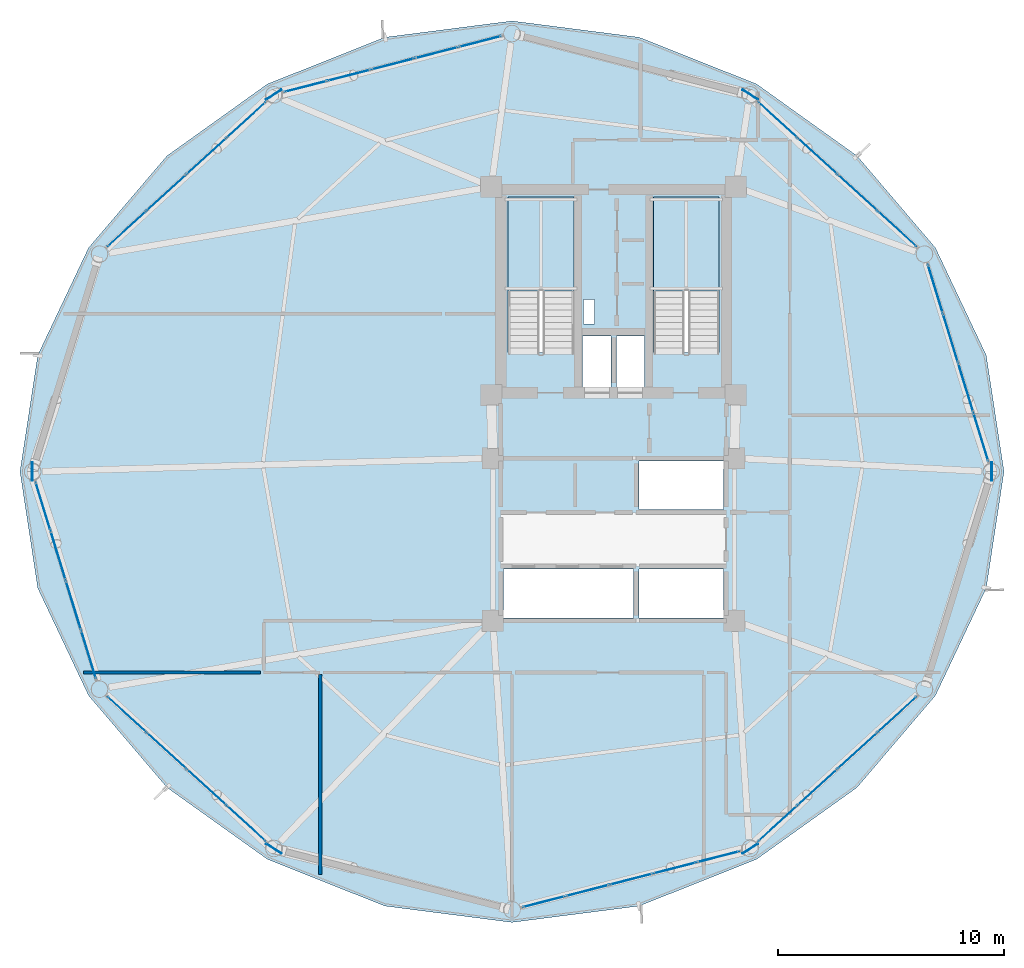
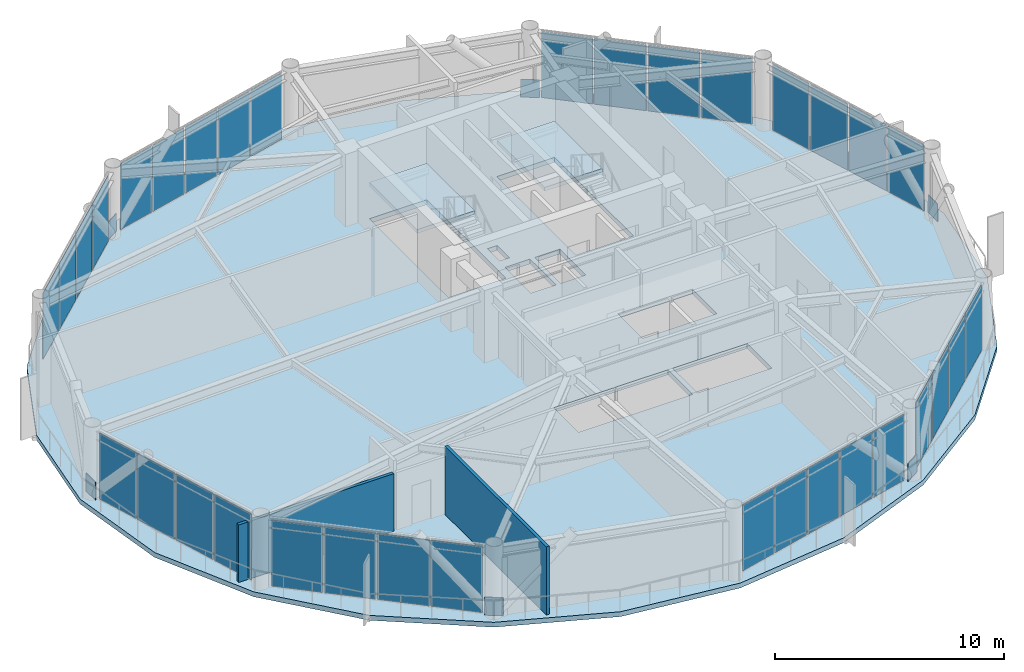
# One storey, part 19 of 25: 40 plates, 3 slabs, 2 walls, 10 elements without a shape of their own.
"""IFC4 building model written with IfcOpenShell, lengths in metres."""

from ifc_helpers import new_model, si_unit, direction, frame, frame_2d, origin, origin_2d, place, context, subcontext, project, spatial, polyline, rectangle, outline, extrude, source, transform, mapped, material, layer, layer_set, type_object, type_shapes, element, aggregate, save


model = new_model("IFC4")

# Units and contexts
model_context = context("Model", 3, precision=1e-05, world=origin(), true_north=direction((0.0, 1.0)))
body_context = subcontext(model_context, "Body", "Model", "MODEL_VIEW")
ifc_project = project(units=[si_unit("LENGTHUNIT", "METRE"), si_unit("AREAUNIT", "SQUARE_METRE"), si_unit("VOLUMEUNIT", "CUBIC_METRE"), si_unit("PLANEANGLEUNIT", "RADIAN"), si_unit("MASSUNIT", "GRAM", prefix="KILO")], contexts=[model_context])

# Site, building, storey
site_placement = place(None, origin())
site = spatial("IfcSite", under=ifc_project, at=site_placement, CompositionType="ELEMENT")
building_placement = place(site_placement, origin())
building = spatial("IfcBuilding", under=site, at=building_placement, Name="Varnakorn Sky Granary", CompositionType="ELEMENT")
storey_placement = place(building_placement, frame((0.0, 0.0, 122.699951171875)))
storey = spatial("IfcBuildingStorey", under=building, at=storey_placement, Name="L30", CompositionType="ELEMENT", Elevation=122.699951171875)

# Plates
ifc_material_1 = material(Name="Steel S460M", Category="steel")
ifc_layer_1 = layer(ifc_material_1, 0.0380859375, Name="Steel S460M")
ifc_layer_set_1 = layer_set([ifc_layer_1], Name="Steel S460M")
plate_type_1 = type_object("IfcPlateType", Name="PL-NODE-KN3", PredefinedType="SHEET", material=ifc_layer_set_1)
for number, where, z_axis, x_axis, name in (
    (1, (19.75, 0.0, 0.0), (0.0, 0.0, 1.0), (0.0, 1.0, 0.0), "Diagrid Node Gusset Assembly KN3 L30-1"),
    (2, (9.0576171875, 16.7021484375, 0.0), (0.0, 0.0, 1.0), (-0.8452890919, 0.534309227989, 0.0), "Diagrid Node Gusset Assembly KN3 L30-3"),
    (3, (-12.0576171875, 16.7021484375, 0.0), (0.0, 0.0, 1.0), (-0.8452890919, -0.534309227989, 0.0), "Diagrid Node Gusset Assembly KN3 L30-5"),
    (4, (-22.75, 0.0, 0.0), (0.0, 0.0, 1.0), (0.0, -1.0, 0.0), "Diagrid Node Gusset Assembly KN3 L30-7"),
    (5, (-12.0576171875, -16.7021484375, 0.0), (0.0, 0.0, 1.0), (0.8452890919, -0.534309227989, 0.0), "Diagrid Node Gusset Assembly KN3 L30-9"),
    (6, (9.0576171875, -16.7021484375, 0.0), (0.0, 0.0, 1.0), (0.8452890919, 0.534309227989, 0.0), "Diagrid Node Gusset Assembly KN3 L30-11"),
):
    element("IfcPlate", number, at=place(storey_placement, frame(where, z_axis=z_axis, x_axis=x_axis)), inside=storey, type_object=plate_type_1, Name=name, PredefinedType="SHEET", context=body_context, shape_type="SweptSolid", body=[
        extrude(rectangle(XDim=0.820068359375, YDim=0.0380859375, at=origin_2d()), origin(), (0.0, 0.0, 1.0), 0.93994140625),
    ])

# Stair, slab
ifc_material_2 = material(Name="Concrete C40/50", Category="concrete")
stair_type = type_object("IfcStairType", Name="ST-MAIN-ASSEMBLY", PredefinedType="HALF_TURN_STAIR", material=ifc_material_2)
stair_1_placement = place(storey_placement, origin())
stair_1 = element("IfcStair", 7, at=stair_1_placement, inside=storey, type_object=stair_type, Name="L30 Protected Exit Stair ST-1", PredefinedType="HALF_TURN_STAIR")
ifc_layer_2 = layer(ifc_material_2, 0.199951171875, Name="Concrete C40/50")
ifc_layer_set_2 = layer_set([ifc_layer_2], Name="Concrete C40/50")
slab_type_1 = type_object("IfcSlabType", Name="ST-MAIN-LAND", PredefinedType="LANDING", material=ifc_layer_set_2)
slab_1_placement = place(storey_placement, frame((0.0, 0.0, 1.75)))
slab_1 = element("IfcSlab", 8, at=slab_1_placement, type_object=slab_type_1, Name="ST-1 landing 1", PredefinedType="LANDING", context=body_context, shape_type="SweptSolid", body=[
    extrude(outline(polyline([(1.239990234375, 8.0), (1.239990234375, 12.179931640625), (-1.669921875, 12.179931640625), (-1.669921875, 8.0), (1.239990234375, 8.0)])), origin(), (0.0, 0.0, 1.0), 0.199951171875),
])
aggregate(stair_1, [slab_1])

stair_2_placement = place(storey_placement, origin())
stair_2 = element("IfcStair", 9, at=stair_2_placement, inside=storey, type_object=stair_type, Name="L30 Protected Exit Stair ST-2", PredefinedType="HALF_TURN_STAIR")
slab_2_placement = place(storey_placement, frame((0.0, 0.0, 1.75)))
slab_2 = element("IfcSlab", 10, at=slab_2_placement, type_object=slab_type_1, Name="ST-2 landing 1", PredefinedType="LANDING", context=body_context, shape_type="SweptSolid", body=[
    extrude(outline(polyline([(7.679931640625, 8.0), (7.679931640625, 12.179931640625), (4.77001953125, 12.179931640625), (4.77001953125, 8.0), (7.679931640625, 8.0)])), origin(), (0.0, 0.0, 1.0), 0.199951171875),
])
aggregate(stair_2, [slab_2])

# Slab
ifc_material_3 = material(Name="Concrete C50/60", Category="concrete")
ifc_layer_3 = layer(ifc_material_3, 0.260009765625, Name="Concrete C50/60")
ifc_layer_set_3 = layer_set([ifc_layer_3], Name="Concrete C50/60")
slab_type_2 = type_object("IfcSlabType", Name="ST-SL-TWR-260", PredefinedType="FLOOR", material=ifc_layer_set_3)
slab_3_placement = place(storey_placement, frame((0.0, 0.0, -0.260009765625)))
element("IfcSlab", 11, at=slab_3_placement, inside=storey, type_object=slab_type_2, Name="Level L30 Structural Floor Slab", PredefinedType="FLOOR", context=body_context, shape_type="SweptSolid", body=[
    extrude(outline(polyline([(20.300048828125, 0.0), (19.513671875, 5.1572265625), (17.262451171875, 9.91796875), (13.78759765625, 13.994384765625), (9.33251953125, 17.178466796875), (4.130615234375, 19.2470703125), (-1.5, 19.970947265625), (-7.130615234375, 19.2470703125), (-12.33251953125, 17.178466796875), (-16.78759765625, 13.994384765625), (-20.262451171875, 9.91796875), (-22.513671875, 5.1572265625), (-23.300048828125, 0.0), (-22.513671875, -5.1572265625), (-20.262451171875, -9.91796875), (-16.78759765625, -13.994384765625), (-12.33251953125, -17.178466796875), (-7.130615234375, -19.2470703125), (-1.5, -19.970947265625), (4.130615234375, -19.2470703125), (9.33251953125, -17.178466796875), (13.78759765625, -13.994384765625), (17.262451171875, -9.91796875), (19.513671875, -5.1572265625), (20.300048828125, 0.0)]), holes=[polyline([(1.239990234375, 5.27490234375), (1.239990234375, 12.179931640625), (-1.669921875, 12.179931640625), (-1.669921875, 5.27490234375), (1.239990234375, 5.27490234375)]), polyline([(7.679931640625, 5.27490234375), (7.679931640625, 12.179931640625), (4.77001953125, 12.179931640625), (4.77001953125, 5.27490234375), (7.679931640625, 5.27490234375)]), polyline([(1.659912109375, 6.550048828125), (2.14990234375, 6.550048828125), (2.14990234375, 7.6201171875), (1.659912109375, 7.6201171875), (1.659912109375, 6.550048828125)]), polyline([(1.6201171875, 3.739990234375), (2.8798828125, 3.739990234375), (2.8798828125, 6.010009765625), (1.6201171875, 6.010009765625), (1.6201171875, 3.739990234375)]), polyline([(3.1201171875, 3.739990234375), (4.3798828125, 3.739990234375), (4.3798828125, 6.010009765625), (3.1201171875, 6.010009765625), (3.1201171875, 3.739990234375)]), polyline([(4.1201171875, -1.679931640625), (7.8798828125, -1.679931640625), (7.8798828125, 0.47998046875), (4.1201171875, 0.47998046875), (4.1201171875, -1.679931640625)]), polyline([(-1.8798828125, -6.47998046875), (3.8798828125, -6.47998046875), (3.8798828125, -4.320068359375), (-1.8798828125, -4.320068359375), (-1.8798828125, -6.47998046875)]), polyline([(4.1201171875, -6.47998046875), (7.8798828125, -6.47998046875), (7.8798828125, -4.320068359375), (4.1201171875, -4.320068359375), (4.1201171875, -6.47998046875)])]), origin(), (0.0, 0.0, 1.0), 0.260009765625),
])

# Curtain wall, plates
ifc_material_4 = material(Name="Anodised Bronze Aluminium Alloy 6063-T6", Category="aluminium")
ifc_layer_4 = layer(ifc_material_4, 0.179931640625, Name="Anodised Bronze Aluminium Alloy 6063-T6")
ifc_layer_set_4 = layer_set([ifc_layer_4], Name="Anodised Bronze Aluminium Alloy 6063-T6")
curtain_wall_type = type_object("IfcCurtainWallType", Name="CW-FRM-2", PredefinedType="USERDEFINED", material=ifc_layer_set_4)
curtain_wall_1_placement = place(storey_placement, origin())
curtain_wall_1 = element("IfcCurtainWall", 12, at=curtain_wall_1_placement, inside=storey, type_object=curtain_wall_type, Name="Unitised Curtain Wall CW4 CW-L30-B01", ObjectType="CURTAIN WALL", PredefinedType="USERDEFINED")
ifc_material_5 = material(Name="Low-E Tinted Laminated Glass", Category="glass")
ifc_layer_5 = layer(ifc_material_5, 0.02587890625, Name="Low-E Tinted Laminated Glass")
ifc_layer_set_5 = layer_set([ifc_layer_5], Name="Low-E Tinted Laminated Glass")
plate_type_2 = type_object("IfcPlateType", Name="CW-FRM-2-PNL", PredefinedType="CURTAIN_PANEL")
shared_shape_1 = source(origin(), body_context, "Body", "SweptSolid", [
    extrude(rectangle(XDim=2.196533203125, YDim=0.02587890625, at=origin_2d()), origin(), (0.0, 0.0, 1.0), 3.510009765625),
])
plate_1_placement = place(storey_placement, frame((17.259033203125, 8.104736328125, 0.06494140625), z_axis=(0.0, 0.0, 1.0), x_axis=(0.293788915961, -0.955870322198, 0.0)))
plate_1 = element("IfcPlate", 13, at=plate_1_placement, type_object=plate_type_2, material=ifc_layer_set_5, Name="CW4 vision glazing unit 1.1", PredefinedType="CURTAIN_PANEL", context=body_context, shape_type="MappedRepresentation", body=[
    mapped(shared_shape_1, transform((0.0, 0.0, 0.0), x_axis=(1.0, 0.0, 0.0), y_axis=(0.0, 1.0, 0.0), z_axis=(0.0, 0.0, 1.0), scale=1.0)),
])
ifc_material_6 = material(Name="Opaque Insulated Aluminium Shadow-Box Unit", Category="aluminium")
ifc_layer_6 = layer(ifc_material_6, 0.02587890625, Name="Opaque Insulated Aluminium Shadow-Box Unit")
ifc_layer_set_6 = layer_set([ifc_layer_6], Name="Opaque Insulated Aluminium Shadow-Box Unit")
plate_2_placement = place(storey_placement, frame((19.277099609375, 1.538330078125, 0.06494140625), z_axis=(0.0, 0.0, 1.0), x_axis=(0.293788915961, -0.955870322198, 0.0)))
plate_2 = element("IfcPlate", 14, at=plate_2_placement, type_object=plate_type_2, material=ifc_layer_set_6, Name="CW4 opaque insulated shadow-box unit 4.1", PredefinedType="CURTAIN_PANEL", context=body_context, shape_type="MappedRepresentation", body=[
    mapped(shared_shape_1, transform((0.0, 0.0, 0.0), x_axis=(1.0, 0.0, 0.0), y_axis=(0.0, 1.0, 0.0), z_axis=(0.0, 0.0, 1.0), scale=1.0)),
])

curtain_wall_2_placement = place(storey_placement, origin())
curtain_wall_2 = element("IfcCurtainWall", 15, at=curtain_wall_2_placement, inside=storey, type_object=curtain_wall_type, Name="Unitised Curtain Wall CW4 CW-L30-B07", ObjectType="CURTAIN WALL", PredefinedType="USERDEFINED")
plate_3_placement = place(storey_placement, frame((-20.259033203125, -8.104736328125, 0.06494140625), z_axis=(0.0, 0.0, 1.0), x_axis=(-0.293788915961, 0.955870322198, 0.0)))
plate_3 = element("IfcPlate", 16, at=plate_3_placement, type_object=plate_type_2, material=ifc_layer_set_5, Name="CW4 vision glazing unit 1.1", PredefinedType="CURTAIN_PANEL", context=body_context, shape_type="MappedRepresentation", body=[
    mapped(shared_shape_1, transform((0.0, 0.0, 0.0), x_axis=(1.0, 0.0, 0.0), y_axis=(0.0, 1.0, 0.0), z_axis=(0.0, 0.0, 1.0), scale=1.0)),
])
plate_4_placement = place(storey_placement, frame((-22.277099609375, -1.538330078125, 0.06494140625), z_axis=(0.0, 0.0, 1.0), x_axis=(-0.293788915961, 0.955870322198, 0.0)))
plate_4 = element("IfcPlate", 17, at=plate_4_placement, type_object=plate_type_2, material=ifc_layer_set_6, Name="CW4 opaque insulated shadow-box unit 4.1", PredefinedType="CURTAIN_PANEL", context=body_context, shape_type="MappedRepresentation", body=[
    mapped(shared_shape_1, transform((0.0, 0.0, 0.0), x_axis=(1.0, 0.0, 0.0), y_axis=(0.0, 1.0, 0.0), z_axis=(0.0, 0.0, 1.0), scale=1.0)),
])

# Plate
shared_shape_2 = source(origin(), body_context, "Body", "SweptSolid", [
    extrude(rectangle(XDim=2.231689453125, YDim=0.02587890625, at=origin_2d()), origin(), (0.0, 0.0, 1.0), 3.510009765625),
])
plate_5_placement = place(storey_placement, frame((17.929931640625, 5.92138671875, 0.06494140625), z_axis=(0.0, 0.0, 1.0), x_axis=(0.293788915961, -0.955870322198, 0.0)))
plate_5 = element("IfcPlate", 18, at=plate_5_placement, type_object=plate_type_2, material=ifc_layer_set_5, Name="CW4 vision glazing unit 2.1", PredefinedType="CURTAIN_PANEL", context=body_context, shape_type="MappedRepresentation", body=[
    mapped(shared_shape_2, transform((0.0, 0.0, 0.0), x_axis=(1.0, 0.0, 0.0), y_axis=(0.0, 1.0, 0.0), z_axis=(0.0, 0.0, 1.0), scale=1.0)),
])

plate_6_placement = place(storey_placement, frame((18.606201171875, 3.721435546875, 0.06494140625), z_axis=(0.0, 0.0, 1.0), x_axis=(0.293788915961, -0.955870322198, 0.0)))
plate_6 = element("IfcPlate", 19, at=plate_6_placement, type_object=plate_type_2, material=ifc_layer_set_6, Name="CW4 opaque insulated shadow-box unit 3.1", PredefinedType="CURTAIN_PANEL", context=body_context, shape_type="MappedRepresentation", body=[
    mapped(shared_shape_2, transform((0.0, 0.0, 0.0), x_axis=(1.0, 0.0, 0.0), y_axis=(0.0, 1.0, 0.0), z_axis=(0.0, 0.0, 1.0), scale=1.0)),
])

aggregate(curtain_wall_1, [plate_1, plate_5, plate_6, plate_2])

plate_7_placement = place(storey_placement, frame((-20.929931640625, -5.92138671875, 0.06494140625), z_axis=(0.0, 0.0, 1.0), x_axis=(-0.293788915961, 0.955870322198, 0.0)))
plate_7 = element("IfcPlate", 20, at=plate_7_placement, type_object=plate_type_2, material=ifc_layer_set_5, Name="CW4 vision glazing unit 2.1", PredefinedType="CURTAIN_PANEL", context=body_context, shape_type="MappedRepresentation", body=[
    mapped(shared_shape_2, transform((0.0, 0.0, 0.0), x_axis=(1.0, 0.0, 0.0), y_axis=(0.0, 1.0, 0.0), z_axis=(0.0, 0.0, 1.0), scale=1.0)),
])

plate_8_placement = place(storey_placement, frame((-21.606201171875, -3.721435546875, 0.06494140625), z_axis=(0.0, 0.0, 1.0), x_axis=(-0.293788915961, 0.955870322198, 0.0)))
plate_8 = element("IfcPlate", 21, at=plate_8_placement, type_object=plate_type_2, material=ifc_layer_set_6, Name="CW4 opaque insulated shadow-box unit 3.1", PredefinedType="CURTAIN_PANEL", context=body_context, shape_type="MappedRepresentation", body=[
    mapped(shared_shape_2, transform((0.0, 0.0, 0.0), x_axis=(1.0, 0.0, 0.0), y_axis=(0.0, 1.0, 0.0), z_axis=(0.0, 0.0, 1.0), scale=1.0)),
])

aggregate(curtain_wall_2, [plate_3, plate_7, plate_8, plate_4])

# Curtain wall, plates
curtain_wall_3_placement = place(storey_placement, origin())
curtain_wall_3 = element("IfcCurtainWall", 22, at=curtain_wall_3_placement, inside=storey, type_object=curtain_wall_type, Name="Unitised Curtain Wall CW4 CW-L30-B02", ObjectType="CURTAIN WALL", PredefinedType="USERDEFINED")
shared_shape_3 = source(origin(), body_context, "Body", "SweptSolid", [
    extrude(rectangle(XDim=2.291259765625, YDim=0.02587890625, at=origin_2d()), origin(), (0.0, 0.0, 1.0), 3.510009765625),
])
plate_9_placement = place(storey_placement, frame((10.28076171875, 15.5849609375, 0.06494140625), z_axis=(0.0, 0.0, 1.0), x_axis=(0.738359450466, -0.674407385715, 0.0)))
plate_9 = element("IfcPlate", 23, at=plate_9_placement, type_object=plate_type_2, material=ifc_layer_set_6, Name="CW4 opaque insulated shadow-box unit 1.1", PredefinedType="CURTAIN_PANEL", context=body_context, shape_type="MappedRepresentation", body=[
    mapped(shared_shape_3, transform((0.0, 0.0, 0.0), x_axis=(1.0, 0.0, 0.0), y_axis=(0.0, 1.0, 0.0), z_axis=(0.0, 0.0, 1.0), scale=1.0)),
])
plate_10_placement = place(storey_placement, frame((15.56298828125, 10.76025390625, 0.06494140625), z_axis=(0.0, 0.0, 1.0), x_axis=(0.738359450466, -0.674407385715, 0.0)))
plate_10 = element("IfcPlate", 24, at=plate_10_placement, type_object=plate_type_2, material=ifc_layer_set_5, Name="CW4 vision glazing unit 4.1", PredefinedType="CURTAIN_PANEL", context=body_context, shape_type="MappedRepresentation", body=[
    mapped(shared_shape_3, transform((0.0, 0.0, 0.0), x_axis=(1.0, 0.0, 0.0), y_axis=(0.0, 1.0, 0.0), z_axis=(0.0, 0.0, 1.0), scale=1.0)),
])

curtain_wall_4_placement = place(storey_placement, origin())
curtain_wall_4 = element("IfcCurtainWall", 25, at=curtain_wall_4_placement, inside=storey, type_object=curtain_wall_type, Name="Unitised Curtain Wall CW4 CW-L30-B05", ObjectType="CURTAIN WALL", PredefinedType="USERDEFINED")
plate_11_placement = place(storey_placement, frame((-18.56298828125, 10.76025390625, 0.06494140625), z_axis=(0.0, 0.0, 1.0), x_axis=(0.738359450466, 0.674407385715, 0.0)))
plate_11 = element("IfcPlate", 26, at=plate_11_placement, type_object=plate_type_2, material=ifc_layer_set_5, Name="CW4 vision glazing unit 1.1", PredefinedType="CURTAIN_PANEL", context=body_context, shape_type="MappedRepresentation", body=[
    mapped(shared_shape_3, transform((0.0, 0.0, 0.0), x_axis=(1.0, 0.0, 0.0), y_axis=(0.0, 1.0, 0.0), z_axis=(0.0, 0.0, 1.0), scale=1.0)),
])
plate_12_placement = place(storey_placement, frame((-13.28076171875, 15.5849609375, 0.06494140625), z_axis=(0.0, 0.0, 1.0), x_axis=(0.738359450466, 0.674407385715, 0.0)))
plate_12 = element("IfcPlate", 27, at=plate_12_placement, type_object=plate_type_2, material=ifc_layer_set_6, Name="CW4 opaque insulated shadow-box unit 4.1", PredefinedType="CURTAIN_PANEL", context=body_context, shape_type="MappedRepresentation", body=[
    mapped(shared_shape_3, transform((0.0, 0.0, 0.0), x_axis=(1.0, 0.0, 0.0), y_axis=(0.0, 1.0, 0.0), z_axis=(0.0, 0.0, 1.0), scale=1.0)),
])

curtain_wall_5_placement = place(storey_placement, origin())
curtain_wall_5 = element("IfcCurtainWall", 28, at=curtain_wall_5_placement, inside=storey, type_object=curtain_wall_type, Name="Unitised Curtain Wall CW4 CW-L30-B08", ObjectType="CURTAIN WALL", PredefinedType="USERDEFINED")
plate_13_placement = place(storey_placement, frame((-13.28076171875, -15.5849609375, 0.06494140625), z_axis=(0.0, 0.0, 1.0), x_axis=(-0.738359450466, 0.674407385715, 0.0)))
plate_13 = element("IfcPlate", 29, at=plate_13_placement, type_object=plate_type_2, material=ifc_layer_set_6, Name="CW4 opaque insulated shadow-box unit 1.1", PredefinedType="CURTAIN_PANEL", context=body_context, shape_type="MappedRepresentation", body=[
    mapped(shared_shape_3, transform((0.0, 0.0, 0.0), x_axis=(1.0, 0.0, 0.0), y_axis=(0.0, 1.0, 0.0), z_axis=(0.0, 0.0, 1.0), scale=1.0)),
])
plate_14_placement = place(storey_placement, frame((-18.56298828125, -10.76025390625, 0.06494140625), z_axis=(0.0, 0.0, 1.0), x_axis=(-0.738359450466, 0.674407385715, 0.0)))
plate_14 = element("IfcPlate", 30, at=plate_14_placement, type_object=plate_type_2, material=ifc_layer_set_5, Name="CW4 vision glazing unit 4.1", PredefinedType="CURTAIN_PANEL", context=body_context, shape_type="MappedRepresentation", body=[
    mapped(shared_shape_3, transform((0.0, 0.0, 0.0), x_axis=(1.0, 0.0, 0.0), y_axis=(0.0, 1.0, 0.0), z_axis=(0.0, 0.0, 1.0), scale=1.0)),
])

curtain_wall_6_placement = place(storey_placement, origin())
curtain_wall_6 = element("IfcCurtainWall", 31, at=curtain_wall_6_placement, inside=storey, type_object=curtain_wall_type, Name="Unitised Curtain Wall CW4 CW-L30-B11", ObjectType="CURTAIN WALL", PredefinedType="USERDEFINED")
plate_15_placement = place(storey_placement, frame((15.56298828125, -10.76025390625, 0.06494140625), z_axis=(0.0, 0.0, 1.0), x_axis=(-0.738359450466, -0.674407385715, 0.0)))
plate_15 = element("IfcPlate", 32, at=plate_15_placement, type_object=plate_type_2, material=ifc_layer_set_5, Name="CW4 vision glazing unit 1.1", PredefinedType="CURTAIN_PANEL", context=body_context, shape_type="MappedRepresentation", body=[
    mapped(shared_shape_3, transform((0.0, 0.0, 0.0), x_axis=(1.0, 0.0, 0.0), y_axis=(0.0, 1.0, 0.0), z_axis=(0.0, 0.0, 1.0), scale=1.0)),
])
plate_16_placement = place(storey_placement, frame((10.28076171875, -15.5849609375, 0.06494140625), z_axis=(0.0, 0.0, 1.0), x_axis=(-0.738359450466, -0.674407385715, 0.0)))
plate_16 = element("IfcPlate", 33, at=plate_16_placement, type_object=plate_type_2, material=ifc_layer_set_6, Name="CW4 opaque insulated shadow-box unit 4.1", PredefinedType="CURTAIN_PANEL", context=body_context, shape_type="MappedRepresentation", body=[
    mapped(shared_shape_3, transform((0.0, 0.0, 0.0), x_axis=(1.0, 0.0, 0.0), y_axis=(0.0, 1.0, 0.0), z_axis=(0.0, 0.0, 1.0), scale=1.0)),
])

# Plate
shared_shape_4 = source(origin(), body_context, "Body", "SweptSolid", [
    extrude(rectangle(XDim=2.326416015625, YDim=0.02587890625, at=origin_2d()), origin(), (0.0, 0.0, 1.0), 3.510009765625),
])
plate_17_placement = place(storey_placement, frame((12.037109375, 13.980712890625, 0.06494140625), z_axis=(0.0, 0.0, 1.0), x_axis=(0.738359450466, -0.674407385715, 0.0)))
plate_17 = element("IfcPlate", 34, at=plate_17_placement, type_object=plate_type_2, material=ifc_layer_set_6, Name="CW4 opaque insulated shadow-box unit 2.1", PredefinedType="CURTAIN_PANEL", context=body_context, shape_type="MappedRepresentation", body=[
    mapped(shared_shape_4, transform((0.0, 0.0, 0.0), x_axis=(1.0, 0.0, 0.0), y_axis=(0.0, 1.0, 0.0), z_axis=(0.0, 0.0, 1.0), scale=1.0)),
])

plate_18_placement = place(storey_placement, frame((13.806396484375, 12.364501953125, 0.06494140625), z_axis=(0.0, 0.0, 1.0), x_axis=(0.738359450466, -0.674407385715, 0.0)))
plate_18 = element("IfcPlate", 35, at=plate_18_placement, type_object=plate_type_2, material=ifc_layer_set_5, Name="CW4 vision glazing unit 3.1", PredefinedType="CURTAIN_PANEL", context=body_context, shape_type="MappedRepresentation", body=[
    mapped(shared_shape_4, transform((0.0, 0.0, 0.0), x_axis=(1.0, 0.0, 0.0), y_axis=(0.0, 1.0, 0.0), z_axis=(0.0, 0.0, 1.0), scale=1.0)),
])

aggregate(curtain_wall_3, [plate_9, plate_17, plate_18, plate_10])

plate_19_placement = place(storey_placement, frame((-16.806396484375, 12.364501953125, 0.06494140625), z_axis=(0.0, 0.0, 1.0), x_axis=(0.738359450466, 0.674407385715, 0.0)))
plate_19 = element("IfcPlate", 36, at=plate_19_placement, type_object=plate_type_2, material=ifc_layer_set_5, Name="CW4 vision glazing unit 2.1", PredefinedType="CURTAIN_PANEL", context=body_context, shape_type="MappedRepresentation", body=[
    mapped(shared_shape_4, transform((0.0, 0.0, 0.0), x_axis=(1.0, 0.0, 0.0), y_axis=(0.0, 1.0, 0.0), z_axis=(0.0, 0.0, 1.0), scale=1.0)),
])

plate_20_placement = place(storey_placement, frame((-15.037109375, 13.980712890625, 0.06494140625), z_axis=(0.0, 0.0, 1.0), x_axis=(0.738359450466, 0.674407385715, 0.0)))
plate_20 = element("IfcPlate", 37, at=plate_20_placement, type_object=plate_type_2, material=ifc_layer_set_6, Name="CW4 opaque insulated shadow-box unit 3.1", PredefinedType="CURTAIN_PANEL", context=body_context, shape_type="MappedRepresentation", body=[
    mapped(shared_shape_4, transform((0.0, 0.0, 0.0), x_axis=(1.0, 0.0, 0.0), y_axis=(0.0, 1.0, 0.0), z_axis=(0.0, 0.0, 1.0), scale=1.0)),
])

aggregate(curtain_wall_4, [plate_11, plate_19, plate_20, plate_12])

plate_21_placement = place(storey_placement, frame((-15.037109375, -13.980712890625, 0.06494140625), z_axis=(0.0, 0.0, 1.0), x_axis=(-0.738359450466, 0.674407385715, 0.0)))
plate_21 = element("IfcPlate", 38, at=plate_21_placement, type_object=plate_type_2, material=ifc_layer_set_6, Name="CW4 opaque insulated shadow-box unit 2.1", PredefinedType="CURTAIN_PANEL", context=body_context, shape_type="MappedRepresentation", body=[
    mapped(shared_shape_4, transform((0.0, 0.0, 0.0), x_axis=(1.0, 0.0, 0.0), y_axis=(0.0, 1.0, 0.0), z_axis=(0.0, 0.0, 1.0), scale=1.0)),
])

plate_22_placement = place(storey_placement, frame((-16.806396484375, -12.364501953125, 0.06494140625), z_axis=(0.0, 0.0, 1.0), x_axis=(-0.738359450466, 0.674407385715, 0.0)))
plate_22 = element("IfcPlate", 39, at=plate_22_placement, type_object=plate_type_2, material=ifc_layer_set_5, Name="CW4 vision glazing unit 3.1", PredefinedType="CURTAIN_PANEL", context=body_context, shape_type="MappedRepresentation", body=[
    mapped(shared_shape_4, transform((0.0, 0.0, 0.0), x_axis=(1.0, 0.0, 0.0), y_axis=(0.0, 1.0, 0.0), z_axis=(0.0, 0.0, 1.0), scale=1.0)),
])

aggregate(curtain_wall_5, [plate_13, plate_21, plate_22, plate_14])

plate_23_placement = place(storey_placement, frame((13.806396484375, -12.364501953125, 0.06494140625), z_axis=(0.0, 0.0, 1.0), x_axis=(-0.738359450466, -0.674407385715, 0.0)))
plate_23 = element("IfcPlate", 40, at=plate_23_placement, type_object=plate_type_2, material=ifc_layer_set_5, Name="CW4 vision glazing unit 2.1", PredefinedType="CURTAIN_PANEL", context=body_context, shape_type="MappedRepresentation", body=[
    mapped(shared_shape_4, transform((0.0, 0.0, 0.0), x_axis=(1.0, 0.0, 0.0), y_axis=(0.0, 1.0, 0.0), z_axis=(0.0, 0.0, 1.0), scale=1.0)),
])

plate_24_placement = place(storey_placement, frame((12.037109375, -13.980712890625, 0.06494140625), z_axis=(0.0, 0.0, 1.0), x_axis=(-0.738359450466, -0.674407385715, 0.0)))
plate_24 = element("IfcPlate", 41, at=plate_24_placement, type_object=plate_type_2, material=ifc_layer_set_6, Name="CW4 opaque insulated shadow-box unit 3.1", PredefinedType="CURTAIN_PANEL", context=body_context, shape_type="MappedRepresentation", body=[
    mapped(shared_shape_4, transform((0.0, 0.0, 0.0), x_axis=(1.0, 0.0, 0.0), y_axis=(0.0, 1.0, 0.0), z_axis=(0.0, 0.0, 1.0), scale=1.0)),
])

aggregate(curtain_wall_6, [plate_15, plate_23, plate_24, plate_16])

# Curtain wall, plates
curtain_wall_7_placement = place(storey_placement, origin())
curtain_wall_7 = element("IfcCurtainWall", 42, at=curtain_wall_7_placement, inside=storey, type_object=curtain_wall_type, Name="Unitised Curtain Wall CW4 CW-L30-B04", ObjectType="CURTAIN WALL", PredefinedType="USERDEFINED")
shared_shape_5 = source(origin(), body_context, "Body", "SweptSolid", [
    extrude(rectangle(XDim=1.89892578125, YDim=0.02587890625, at=origin_2d()), origin(), (0.0, 0.0, 1.0), 3.510009765625),
])
plate_25_placement = place(storey_placement, frame((-10.64306640625, 17.06640625, 0.06494140625), z_axis=(0.0, 0.0, 1.0), x_axis=(0.968404632233, 0.249384178066, 0.0)))
plate_25 = element("IfcPlate", 43, at=plate_25_placement, type_object=plate_type_2, material=ifc_layer_set_6, Name="CW4 opaque insulated shadow-box unit 1.1", PredefinedType="CURTAIN_PANEL", context=body_context, shape_type="MappedRepresentation", body=[
    mapped(shared_shape_5, transform((0.0, 0.0, 0.0), x_axis=(1.0, 0.0, 0.0), y_axis=(0.0, 1.0, 0.0), z_axis=(0.0, 0.0, 1.0), scale=1.0)),
])
plate_26_placement = place(storey_placement, frame((-2.914306640625, 19.056640625, 0.06494140625), z_axis=(0.0, 0.0, 1.0), x_axis=(0.968404632233, 0.249384178066, 0.0)))
plate_26 = element("IfcPlate", 44, at=plate_26_placement, type_object=plate_type_2, material=ifc_layer_set_5, Name="CW4 vision glazing unit 5.1", PredefinedType="CURTAIN_PANEL", context=body_context, shape_type="MappedRepresentation", body=[
    mapped(shared_shape_5, transform((0.0, 0.0, 0.0), x_axis=(1.0, 0.0, 0.0), y_axis=(0.0, 1.0, 0.0), z_axis=(0.0, 0.0, 1.0), scale=1.0)),
])

curtain_wall_8_placement = place(storey_placement, origin())
curtain_wall_8 = element("IfcCurtainWall", 45, at=curtain_wall_8_placement, inside=storey, type_object=curtain_wall_type, Name="Unitised Curtain Wall CW4 CW-L30-B10", ObjectType="CURTAIN WALL", PredefinedType="USERDEFINED")
plate_27_placement = place(storey_placement, frame((7.64306640625, -17.06640625, 0.06494140625), z_axis=(0.0, 0.0, 1.0), x_axis=(-0.968404632233, -0.249384178066, 0.0)))
plate_27 = element("IfcPlate", 46, at=plate_27_placement, type_object=plate_type_2, material=ifc_layer_set_6, Name="CW4 opaque insulated shadow-box unit 1.1", PredefinedType="CURTAIN_PANEL", context=body_context, shape_type="MappedRepresentation", body=[
    mapped(shared_shape_5, transform((0.0, 0.0, 0.0), x_axis=(1.0, 0.0, 0.0), y_axis=(0.0, 1.0, 0.0), z_axis=(0.0, 0.0, 1.0), scale=1.0)),
])
plate_28_placement = place(storey_placement, frame((-0.085693359375, -19.056640625, 0.06494140625), z_axis=(0.0, 0.0, 1.0), x_axis=(-0.968404632233, -0.249384178066, 0.0)))
plate_28 = element("IfcPlate", 47, at=plate_28_placement, type_object=plate_type_2, material=ifc_layer_set_5, Name="CW4 vision glazing unit 5.1", PredefinedType="CURTAIN_PANEL", context=body_context, shape_type="MappedRepresentation", body=[
    mapped(shared_shape_5, transform((0.0, 0.0, 0.0), x_axis=(1.0, 0.0, 0.0), y_axis=(0.0, 1.0, 0.0), z_axis=(0.0, 0.0, 1.0), scale=1.0)),
])

# Plate
shared_shape_6 = source(origin(), body_context, "Body", "SweptSolid", [
    extrude(rectangle(XDim=1.93408203125, YDim=0.02587890625, at=origin_2d()), origin(), (0.0, 0.0, 1.0), 3.510009765625),
])
type_shapes(plate_type_2, [shared_shape_1, shared_shape_2, shared_shape_3, shared_shape_4, shared_shape_5, shared_shape_6])
plate_29_placement = place(storey_placement, frame((-8.719482421875, 17.561767578125, 0.06494140625), z_axis=(0.0, 0.0, 1.0), x_axis=(0.968404632233, 0.249384178066, 0.0)))
plate_29 = element("IfcPlate", 48, at=plate_29_placement, type_object=plate_type_2, material=ifc_layer_set_6, Name="CW4 opaque insulated shadow-box unit 2.1", PredefinedType="CURTAIN_PANEL", context=body_context, shape_type="MappedRepresentation", body=[
    mapped(shared_shape_6, transform((0.0, 0.0, 0.0), x_axis=(1.0, 0.0, 0.0), y_axis=(0.0, 1.0, 0.0), z_axis=(0.0, 0.0, 1.0), scale=1.0)),
])

plate_30_placement = place(storey_placement, frame((-6.77880859375, 18.0615234375, 0.06494140625), z_axis=(0.0, 0.0, 1.0), x_axis=(0.968404632233, 0.249384178066, 0.0)))
plate_30 = element("IfcPlate", 49, at=plate_30_placement, type_object=plate_type_2, material=ifc_layer_set_5, Name="CW4 vision glazing unit 3.1", PredefinedType="CURTAIN_PANEL", context=body_context, shape_type="MappedRepresentation", body=[
    mapped(shared_shape_6, transform((0.0, 0.0, 0.0), x_axis=(1.0, 0.0, 0.0), y_axis=(0.0, 1.0, 0.0), z_axis=(0.0, 0.0, 1.0), scale=1.0)),
])

plate_31_placement = place(storey_placement, frame((-4.838134765625, 18.561279296875, 0.06494140625), z_axis=(0.0, 0.0, 1.0), x_axis=(0.968404632233, 0.249384178066, 0.0)))
plate_31 = element("IfcPlate", 50, at=plate_31_placement, type_object=plate_type_2, material=ifc_layer_set_5, Name="CW4 vision glazing unit 4.1", PredefinedType="CURTAIN_PANEL", context=body_context, shape_type="MappedRepresentation", body=[
    mapped(shared_shape_6, transform((0.0, 0.0, 0.0), x_axis=(1.0, 0.0, 0.0), y_axis=(0.0, 1.0, 0.0), z_axis=(0.0, 0.0, 1.0), scale=1.0)),
])

aggregate(curtain_wall_7, [plate_25, plate_29, plate_30, plate_31, plate_26])

plate_32_placement = place(storey_placement, frame((5.719482421875, -17.561767578125, 0.06494140625), z_axis=(0.0, 0.0, 1.0), x_axis=(-0.968404632233, -0.249384178066, 0.0)))
plate_32 = element("IfcPlate", 51, at=plate_32_placement, type_object=plate_type_2, material=ifc_layer_set_6, Name="CW4 opaque insulated shadow-box unit 2.1", PredefinedType="CURTAIN_PANEL", context=body_context, shape_type="MappedRepresentation", body=[
    mapped(shared_shape_6, transform((0.0, 0.0, 0.0), x_axis=(1.0, 0.0, 0.0), y_axis=(0.0, 1.0, 0.0), z_axis=(0.0, 0.0, 1.0), scale=1.0)),
])

plate_33_placement = place(storey_placement, frame((3.77880859375, -18.0615234375, 0.06494140625), z_axis=(0.0, 0.0, 1.0), x_axis=(-0.968404632233, -0.249384178066, 0.0)))
plate_33 = element("IfcPlate", 52, at=plate_33_placement, type_object=plate_type_2, material=ifc_layer_set_5, Name="CW4 vision glazing unit 3.1", PredefinedType="CURTAIN_PANEL", context=body_context, shape_type="MappedRepresentation", body=[
    mapped(shared_shape_6, transform((0.0, 0.0, 0.0), x_axis=(1.0, 0.0, 0.0), y_axis=(0.0, 1.0, 0.0), z_axis=(0.0, 0.0, 1.0), scale=1.0)),
])

plate_34_placement = place(storey_placement, frame((1.838134765625, -18.561279296875, 0.06494140625), z_axis=(0.0, 0.0, 1.0), x_axis=(-0.968404632233, -0.249384178066, 0.0)))
plate_34 = element("IfcPlate", 53, at=plate_34_placement, type_object=plate_type_2, material=ifc_layer_set_5, Name="CW4 vision glazing unit 4.1", PredefinedType="CURTAIN_PANEL", context=body_context, shape_type="MappedRepresentation", body=[
    mapped(shared_shape_6, transform((0.0, 0.0, 0.0), x_axis=(1.0, 0.0, 0.0), y_axis=(0.0, 1.0, 0.0), z_axis=(0.0, 0.0, 1.0), scale=1.0)),
])

aggregate(curtain_wall_8, [plate_27, plate_32, plate_33, plate_34, plate_28])

# Walls
ifc_material_7 = material(Name="Gypsum Plasterboard on Steel Stud", Category="steel")
ifc_layer_7 = layer(ifc_material_7, 0.14990234375, Name="Gypsum Plasterboard on Steel Stud")
ifc_layer_set_7 = layer_set([ifc_layer_7], Name="Gypsum Plasterboard on Steel Stud")
wall_type = type_object("IfcWallType", Name="WT-PART-150", PredefinedType="PARTITIONING", material=ifc_layer_set_7)
wall_1_placement = place(storey_placement, frame((-10.0, -8.985107421875, 0.0), z_axis=(0.0, 0.0, 1.0), x_axis=(0.0, -1.0, 0.0)))
element("IfcWall", 54, at=wall_1_placement, inside=storey, type_object=wall_type, Name="Interior Partition Wall L30-036", PredefinedType="PARTITIONING", context=body_context, shape_type="SweptSolid", body=[
    extrude(rectangle(XDim=8.864990234375, YDim=0.14990234375, at=frame_2d((4.4326171875, 0.0))), origin(), (0.0, 0.0, 1.0), 3.64013671875),
])
wall_2_placement = place(storey_placement, frame((-20.47998046875, -8.89990234375, 0.0), z_axis=(0.0, 0.0, 1.0), x_axis=(1.0, 0.0, 0.0)))
element("IfcWall", 55, at=wall_2_placement, inside=storey, type_object=wall_type, Name="Interior Partition Wall L30-037", PredefinedType="PARTITIONING", context=body_context, shape_type="SweptSolid", body=[
    extrude(rectangle(XDim=7.844970703125, YDim=0.14990234375, at=frame_2d((3.92236328125, 0.0))), origin(), (0.0, 0.0, 1.0), 3.072021484375),
])

save(model, "model.ifc")
